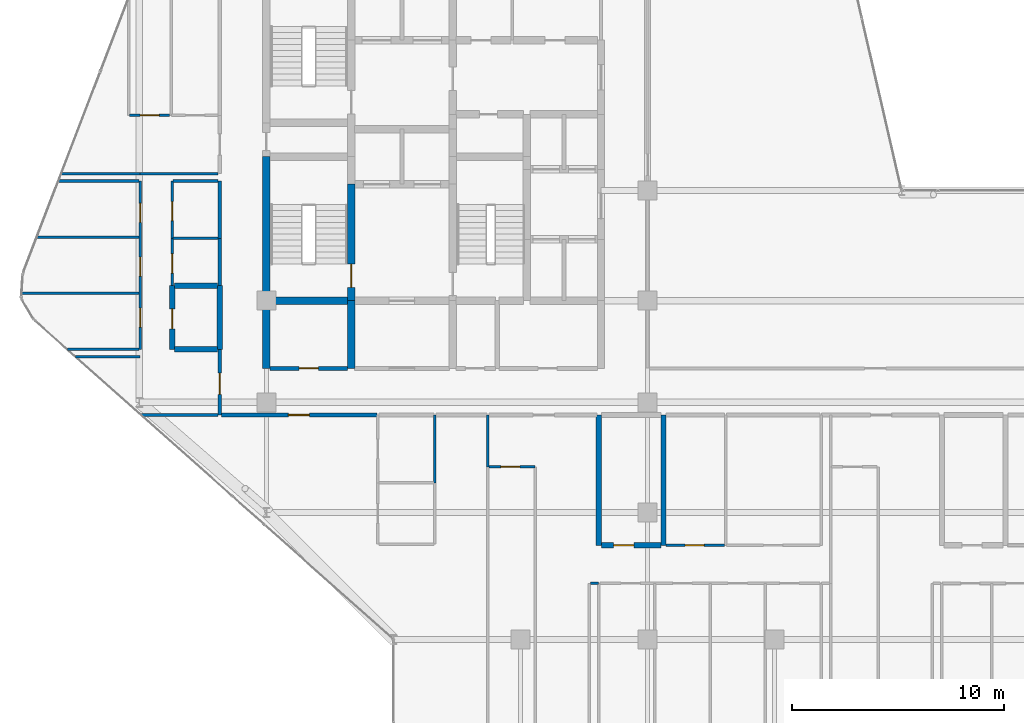
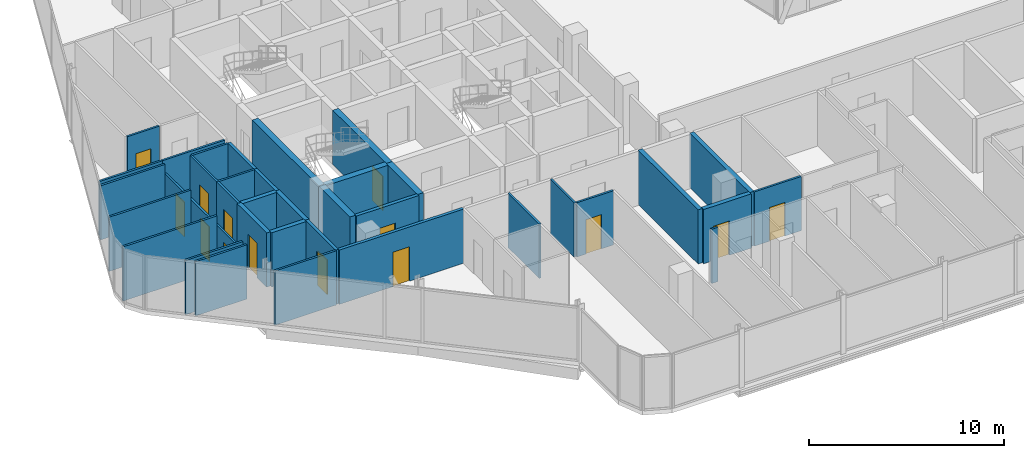
# One storey, part 23 of 29: 36 walls, 14 doors, 14 openings.
"""IFC4 building model written with IfcOpenShell, lengths in metres."""

from ifc_helpers import new_model, si_unit, direction, frame, frame_2d, origin, place, context, subcontext, project, spatial, rectangle, extrude, material, layer, layer_set, type_object, element, fill, save


model = new_model("IFC4")

# Units and contexts
model_context = context("Model", 3, precision=1e-05, world=origin(), true_north=direction((0.0, 1.0)))
body_context = subcontext(model_context, "Body", "Model", "MODEL_VIEW")
ifc_project = project(units=[si_unit("LENGTHUNIT", "METRE"), si_unit("AREAUNIT", "SQUARE_METRE"), si_unit("VOLUMEUNIT", "CUBIC_METRE"), si_unit("PLANEANGLEUNIT", "RADIAN"), si_unit("MASSUNIT", "GRAM", prefix="KILO")], contexts=[model_context])

# Site, building, storey
site_placement = place(None, origin())
site = spatial("IfcSite", under=ifc_project, at=site_placement, CompositionType="ELEMENT")
building_placement = place(site_placement, origin())
building = spatial("IfcBuilding", under=site, at=building_placement, Name="Keshet Zoharim Tower", CompositionType="ELEMENT")
storey_placement = place(building_placement, frame((0.0, 0.0, 176.5)))
storey = spatial("IfcBuildingStorey", under=building, at=storey_placement, Name="L43", CompositionType="ELEMENT", Elevation=176.5)

# Walls
ifc_material_1 = material(Name="Concrete C60/75", Category="concrete")
ifc_layer_1 = layer(ifc_material_1, 0.35009765625)
ifc_layer_set_1 = layer_set([ifc_layer_1], Name="Concrete C60/75")
wall_type_1 = type_object("IfcWallType", Name="WL-CORE-350", PredefinedType="SHEAR", material=ifc_layer_set_1)
wall_1_placement = place(storey_placement, frame((15.0, 19.5, 0.0), z_axis=(0.0, 0.0, 1.0), x_axis=(0.0, 1.0, 0.0)))
element("IfcWall", 1, at=wall_1_placement, inside=storey, type_object=wall_type_1, Name="L43 Core Shear Wall 013", PredefinedType="SHEAR", context=body_context, shape_type="SweptSolid", body=[
    extrude(rectangle(XDim=3.199951171875, YDim=0.35009765625, at=frame_2d((1.60009765625, 0.0))), origin(), (0.0, 0.0, 1.0), 3.389892578125),
])
wall_2_placement = place(storey_placement, frame((15.0, 22.699951171875, 0.0), z_axis=(0.0, 0.0, 1.0), x_axis=(0.0, 1.0, 0.0)))
element("IfcWall", 2, at=wall_2_placement, inside=storey, type_object=wall_type_1, Name="L43 Core Shear Wall 014", PredefinedType="SHEAR", context=body_context, shape_type="SweptSolid", body=[
    extrude(rectangle(XDim=6.800048828125, YDim=0.35009765625, at=frame_2d((3.39990234375, 0.0))), origin(), (0.0, 0.0, 1.0), 3.389892578125),
])
wall_3_placement = place(storey_placement, frame((19.0, 19.5, 0.0), z_axis=(0.0, 0.0, 1.0), x_axis=(0.0, 1.0, 0.0)))
element("IfcWall", 3, at=wall_3_placement, inside=storey, type_object=wall_type_1, Name="L43 Core Shear Wall 021", PredefinedType="SHEAR", context=body_context, shape_type="SweptSolid", body=[
    extrude(rectangle(XDim=3.199951171875, YDim=0.35009765625, at=frame_2d((1.60009765625, 0.0))), origin(), (0.0, 0.0, 1.0), 3.389892578125),
])

# Wall, opening, door
wall_4_placement = place(storey_placement, frame((19.0, 22.699951171875, 0.0), z_axis=(0.0, 0.0, 1.0), x_axis=(0.0, 1.0, 0.0)))
wall_4 = element("IfcWall", 4, at=wall_4_placement, inside=storey, type_object=wall_type_1, Name="L43 Core Shear Wall 022", PredefinedType="SHEAR", context=body_context, shape_type="SweptSolid", body=[
    extrude(rectangle(XDim=5.5, YDim=0.35009765625, at=frame_2d((2.75, 0.0))), origin(), (0.0, 0.0, 1.0), 3.389892578125),
])
opening_1_placement = place(wall_4_placement, frame((0.631103515625, 0.0, 0.0)))
opening_1 = element("IfcOpeningElement", 5, at=opening_1_placement, cuts=wall_4, Name="Opening D-F611", PredefinedType="OPENING", context=body_context, shape_type="SweptSolid", body=[
    extrude(rectangle(XDim=1.10009765625, YDim=2.14990234375, at=frame_2d((0.550048828125, 1.074951171875))), frame((0.0, 0.18505859375, 0.0), z_axis=(0.0, -1.0, 0.0), x_axis=(1.0, 0.0, 0.0)), (0.0, 0.0, 1.0), 0.3701171875),
])
ifc_material_2 = material(Name="Hardwood Timber", Category="wood")
door_type_1 = type_object("IfcDoorType", Name="DR-FD60-110", OperationType="NOTDEFINED", PredefinedType="DOOR", material=ifc_material_2)
door_1_placement = place(opening_1_placement, origin())
door_1 = element("IfcDoor", 6, at=door_1_placement, inside=storey, type_object=door_type_1, Name="L43 Exit Stair ST-01 Fire Door", OperationType="SINGLE_SWING_RIGHT", OverallHeight=2.14990234375, OverallWidth=1.10009765625, PredefinedType="DOOR", context=body_context, shape_type="SweptSolid", body=[
    extrude(rectangle(XDim=1.10009765625, YDim=2.14990234375, at=frame_2d((0.550048828125, 1.074951171875))), frame((0.0, 0.02490234375, 0.0), z_axis=(0.0, -1.0, 0.0), x_axis=(1.0, 0.0, 0.0)), (0.0, 0.0, 1.0), 0.050048828125),
])
fill(opening_1, door_1)

# Wall
wall_5_placement = place(storey_placement, frame((15.159912109375, 22.699951171875, 0.0), z_axis=(0.0, 0.0, 1.0), x_axis=(1.0, 0.0, 0.0)))
element("IfcWall", 7, at=wall_5_placement, inside=storey, type_object=wall_type_1, Name="L43 Core Shear Wall 131", PredefinedType="SHEAR", context=body_context, shape_type="SweptSolid", body=[
    extrude(rectangle(XDim=3.68017578125, YDim=0.35009765625, at=frame_2d((1.840087890625, 0.0))), origin(), (0.0, 0.0, 1.0), 3.389892578125),
])

# Wall, opening, door
ifc_material_3 = material(Name="Gypsum Plasterboard", Category="gypsum")
ifc_layer_2 = layer(ifc_material_3, 0.179931640625)
ifc_layer_set_2 = layer_set([ifc_layer_2], Name="Gypsum Plasterboard")
wall_type_2 = type_object("IfcWallType", Name="WL-CORR-180", PredefinedType="STANDARD", material=ifc_layer_set_2)
wall_6_placement = place(storey_placement, frame((12.800048828125, 17.300048828125, 0.0), z_axis=(0.0, 0.0, 1.0), x_axis=(0.0, 1.0, 0.0)))
wall_6 = element("IfcWall", 8, at=wall_6_placement, inside=storey, type_object=wall_type_2, Name="L43 Interior Wall 007", PredefinedType="STANDARD", context=body_context, shape_type="SweptSolid", body=[
    extrude(rectangle(XDim=3.099853515625, YDim=0.179931640625, at=frame_2d((1.5498046875, 0.0))), origin(), (0.0, 0.0, 1.0), 3.389892578125),
])
opening_2_placement = place(wall_6_placement, frame((0.97802734375, 0.0, 0.0)))
opening_2 = element("IfcOpeningElement", 9, at=opening_2_placement, cuts=wall_6, Name="Opening D-F310", PredefinedType="OPENING", context=body_context, shape_type="SweptSolid", body=[
    extrude(rectangle(XDim=1.0, YDim=2.14990234375, at=frame_2d((0.5, 1.074951171875))), frame((0.0, 0.10009765625, 0.0), z_axis=(0.0, -1.0, 0.0), x_axis=(1.0, 0.0, 0.0)), (0.0, 0.0, 1.0), 0.199951171875),
])
door_type_2 = type_object("IfcDoorType", Name="DR-FD30-100", OperationType="NOTDEFINED", PredefinedType="DOOR", material=ifc_material_2)
door_2_placement = place(opening_2_placement, origin())
door_2 = element("IfcDoor", 10, at=door_2_placement, inside=storey, type_object=door_type_2, Name="Apartment 4307 Entrance Door", OperationType="SINGLE_SWING_LEFT", OverallHeight=2.14990234375, OverallWidth=1.0, PredefinedType="DOOR", context=body_context, shape_type="SweptSolid", body=[
    extrude(rectangle(XDim=1.0, YDim=2.14990234375, at=frame_2d((0.5, 1.074951171875))), frame((0.0, 0.02490234375, 0.0), z_axis=(0.0, -1.0, 0.0), x_axis=(1.0, 0.0, 0.0)), (0.0, 0.0, 1.0), 0.050048828125),
])
fill(opening_2, door_2)

# Walls
wall_7_placement = place(storey_placement, frame((12.800048828125, 23.4208984375, 0.0), z_axis=(0.0, 0.0, 1.0), x_axis=(0.0, 1.0, 0.0)))
element("IfcWall", 11, at=wall_7_placement, inside=storey, type_object=wall_type_2, Name="L43 Interior Wall 009", PredefinedType="STANDARD", context=body_context, shape_type="SweptSolid", body=[
    extrude(rectangle(XDim=2.22607421875, YDim=0.179931640625, at=frame_2d((1.113037109375, 0.0))), origin(), (0.0, 0.0, 1.0), 3.389892578125),
])
wall_8_placement = place(storey_placement, frame((12.800048828125, 25.64697265625, 0.0), z_axis=(0.0, 0.0, 1.0), x_axis=(0.0, 1.0, 0.0)))
element("IfcWall", 12, at=wall_8_placement, inside=storey, type_object=wall_type_2, Name="L43 Interior Wall 010", PredefinedType="STANDARD", context=body_context, shape_type="SweptSolid", body=[
    extrude(rectangle(XDim=2.703125, YDim=0.179931640625, at=frame_2d((1.3515625, 0.0))), origin(), (0.0, 0.0, 1.0), 3.389892578125),
])

# Wall, opening, door
wall_9_placement = place(storey_placement, frame((12.875, 17.300048828125, 0.0), z_axis=(0.0, 0.0, 1.0), x_axis=(1.0, 0.0, 0.0)))
wall_9 = element("IfcWall", 13, at=wall_9_placement, inside=storey, type_object=wall_type_2, Name="L43 Interior Wall 110", PredefinedType="STANDARD", context=body_context, shape_type="SweptSolid", body=[
    extrude(rectangle(XDim=7.35009765625, YDim=0.179931640625, at=frame_2d((3.675048828125, 0.0))), origin(), (0.0, 0.0, 1.0), 3.389892578125),
])
opening_3_placement = place(wall_9_placement, frame((3.159912109375, 0.0, 0.0)))
opening_3 = element("IfcOpeningElement", 14, at=opening_3_placement, cuts=wall_9, Name="Opening D-F310", PredefinedType="OPENING", context=body_context, shape_type="SweptSolid", body=[
    extrude(rectangle(XDim=1.0, YDim=2.14990234375, at=frame_2d((0.5, 1.074951171875))), frame((0.0, 0.10009765625, 0.0), z_axis=(0.0, -1.0, 0.0), x_axis=(1.0, 0.0, 0.0)), (0.0, 0.0, 1.0), 0.199951171875),
])
door_3_placement = place(opening_3_placement, origin())
door_3 = element("IfcDoor", 15, at=door_3_placement, inside=storey, type_object=door_type_2, Name="Apartment 4301 Entrance Door", OperationType="SINGLE_SWING_LEFT", OverallHeight=2.14990234375, OverallWidth=1.0, PredefinedType="DOOR", context=body_context, shape_type="SweptSolid", body=[
    extrude(rectangle(XDim=1.0, YDim=2.14990234375, at=frame_2d((0.5, 1.074951171875))), frame((0.0, 0.02490234375, 0.0), z_axis=(0.0, -1.0, 0.0), x_axis=(1.0, 0.0, 0.0)), (0.0, 0.0, 1.0), 0.050048828125),
])
fill(opening_3, door_3)

ifc_material_4 = material(Name="Concrete C50/60", Category="concrete")
ifc_layer_3 = layer(ifc_material_4, 0.199951171875)
ifc_layer_set_3 = layer_set([ifc_layer_3], Name="Concrete C50/60")
wall_type_3 = type_object("IfcWallType", Name="WL-FIRE-200", PredefinedType="STANDARD", material=ifc_layer_set_3)
wall_10_placement = place(storey_placement, frame((15.159912109375, 19.5, 0.0), z_axis=(0.0, 0.0, 1.0), x_axis=(1.0, 0.0, 0.0)))
wall_10 = element("IfcWall", 16, at=wall_10_placement, inside=storey, type_object=wall_type_3, Name="L43 Interior Wall 123", PredefinedType="STANDARD", context=body_context, shape_type="SweptSolid", body=[
    extrude(rectangle(XDim=3.68017578125, YDim=0.199951171875, at=frame_2d((1.840087890625, 0.0))), origin(), (0.0, 0.0, 1.0), 3.389892578125),
])
opening_4_placement = place(wall_10_placement, frame((1.389892578125, 0.0, 0.0)))
opening_4 = element("IfcOpeningElement", 17, at=opening_4_placement, cuts=wall_10, Name="Opening D-F690", PredefinedType="OPENING", context=body_context, shape_type="SweptSolid", body=[
    extrude(rectangle(XDim=0.89990234375, YDim=2.14990234375, at=frame_2d((0.449951171875, 1.074951171875))), frame((0.0, 0.10986328125, 0.0), z_axis=(0.0, -1.0, 0.0), x_axis=(1.0, 0.0, 0.0)), (0.0, 0.0, 1.0), 0.219970703125),
])
door_type_3 = type_object("IfcDoorType", Name="DR-FD60-090", OperationType="NOTDEFINED", PredefinedType="DOOR", material=ifc_material_2)
door_4_placement = place(opening_4_placement, origin())
door_4 = element("IfcDoor", 18, at=door_4_placement, inside=storey, type_object=door_type_3, Name="L43 Refuse Room Door", OperationType="SINGLE_SWING_RIGHT", OverallHeight=2.14990234375, OverallWidth=0.89990234375, PredefinedType="DOOR", context=body_context, shape_type="SweptSolid", body=[
    extrude(rectangle(XDim=0.89990234375, YDim=2.14990234375, at=frame_2d((0.449951171875, 1.074951171875))), frame((0.0, 0.02490234375, 0.0), z_axis=(0.0, -1.0, 0.0), x_axis=(1.0, 0.0, 0.0)), (0.0, 0.0, 1.0), 0.050048828125),
])
fill(opening_4, door_4)

ifc_layer_4 = layer(ifc_material_4, 0.25)
ifc_layer_set_4 = layer_set([ifc_layer_4], Name="Concrete C50/60")
wall_type_4 = type_object("IfcWallType", Name="WL-MAMAD-250", PredefinedType="STANDARD", material=ifc_layer_set_4)
wall_11_placement = place(storey_placement, frame((10.550048828125, 20.39990234375, 0.0), z_axis=(0.0, 0.0, 1.0), x_axis=(0.0, 1.0, 0.0)))
wall_11 = element("IfcWall", 19, at=wall_11_placement, inside=storey, type_object=wall_type_4, Name="L43 Interior Wall 004", PredefinedType="STANDARD", context=body_context, shape_type="SweptSolid", body=[
    extrude(rectangle(XDim=3.02099609375, YDim=0.25, at=frame_2d((1.510498046875, 0.0))), origin(), (0.0, 0.0, 1.0), 3.389892578125),
])
opening_5_placement = place(wall_11_placement, frame((0.964111328125, 0.0, 0.0)))
opening_5 = element("IfcOpeningElement", 20, at=opening_5_placement, cuts=wall_11, Name="Opening D-F695", PredefinedType="OPENING", context=body_context, shape_type="SweptSolid", body=[
    extrude(rectangle(XDim=0.949951171875, YDim=2.14990234375, at=frame_2d((0.47509765625, 1.074951171875))), frame((0.0, 0.135009765625, 0.0), z_axis=(0.0, -1.0, 0.0), x_axis=(1.0, 0.0, 0.0)), (0.0, 0.0, 1.0), 0.27001953125),
])
door_type_4 = type_object("IfcDoorType", Name="DR-FD60-095", OperationType="NOTDEFINED", PredefinedType="DOOR", material=ifc_material_2)
door_5_placement = place(opening_5_placement, origin())
door_5 = element("IfcDoor", 21, at=door_5_placement, inside=storey, type_object=door_type_4, Name="Apartment 4307 Study and Shelter Room Door", OperationType="SINGLE_SWING_RIGHT", OverallHeight=2.14990234375, OverallWidth=0.949951171875, PredefinedType="DOOR", context=body_context, shape_type="SweptSolid", body=[
    extrude(rectangle(XDim=0.949951171875, YDim=2.14990234375, at=frame_2d((0.47509765625, 1.074951171875))), frame((0.0, 0.02490234375, 0.0), z_axis=(0.0, -1.0, 0.0), x_axis=(1.0, 0.0, 0.0)), (0.0, 0.0, 1.0), 0.050048828125),
])
fill(opening_5, door_5)

# Walls
wall_12_placement = place(storey_placement, frame((12.800048828125, 20.39990234375, 0.0), z_axis=(0.0, 0.0, 1.0), x_axis=(0.0, 1.0, 0.0)))
element("IfcWall", 22, at=wall_12_placement, inside=storey, type_object=wall_type_4, Name="L43 Interior Wall 008", PredefinedType="STANDARD", context=body_context, shape_type="SweptSolid", body=[
    extrude(rectangle(XDim=3.02099609375, YDim=0.25, at=frame_2d((1.510498046875, 0.0))), origin(), (0.0, 0.0, 1.0), 3.389892578125),
])
for number, where, z_axis, x_axis, name in (
    (23, (30.699951171875, 11.14990234375, 0.0), (0.0, 0.0, 1.0), (0.0, 1.0, 0.0), "L43 Interior Wall 058"),
    (24, (33.75, 11.14990234375, 0.0), (0.0, 0.0, 1.0), (0.0, 1.0, 0.0), "L43 Interior Wall 070"),
):
    element("IfcWall", number, at=place(storey_placement, frame(where, z_axis=z_axis, x_axis=x_axis)), inside=storey, type_object=wall_type_4, Name=name, PredefinedType="STANDARD", context=body_context, shape_type="SweptSolid", body=[
        extrude(rectangle(XDim=6.150146484375, YDim=0.25, at=frame_2d((3.0751953125, 0.0))), origin(), (0.0, 0.0, 1.0), 3.389892578125),
    ])

# Wall, opening, door
wall_13_placement = place(storey_placement, frame((30.830078125, 11.14990234375, 0.0), z_axis=(0.0, 0.0, 1.0), x_axis=(1.0, 0.0, 0.0)))
wall_13 = element("IfcWall", 25, at=wall_13_placement, inside=storey, type_object=wall_type_4, Name="L43 Interior Wall 099", PredefinedType="STANDARD", context=body_context, shape_type="SweptSolid", body=[
    extrude(rectangle(XDim=2.81298828125, YDim=0.25, at=frame_2d((1.406494140625, 0.0))), origin(), (0.0, 0.0, 1.0), 3.389892578125),
])
opening_6_placement = place(wall_13_placement, frame((0.572998046875, 0.0, 0.0)))
opening_6 = element("IfcOpeningElement", 26, at=opening_6_placement, cuts=wall_13, Name="Opening D-F695", PredefinedType="OPENING", context=body_context, shape_type="SweptSolid", body=[
    extrude(rectangle(XDim=0.949951171875, YDim=2.14990234375, at=frame_2d((0.47509765625, 1.074951171875))), frame((0.0, 0.135009765625, 0.0), z_axis=(0.0, -1.0, 0.0), x_axis=(1.0, 0.0, 0.0)), (0.0, 0.0, 1.0), 0.27001953125),
])
door_6_placement = place(opening_6_placement, origin())
door_6 = element("IfcDoor", 27, at=door_6_placement, inside=storey, type_object=door_type_4, Name="Apartment 4302 Study and Shelter Room Door", OperationType="SINGLE_SWING_LEFT", OverallHeight=2.14990234375, OverallWidth=0.949951171875, PredefinedType="DOOR", context=body_context, shape_type="SweptSolid", body=[
    extrude(rectangle(XDim=0.949951171875, YDim=2.14990234375, at=frame_2d((0.47509765625, 1.074951171875))), frame((0.0, 0.02490234375, 0.0), z_axis=(0.0, -1.0, 0.0), x_axis=(1.0, 0.0, 0.0)), (0.0, 0.0, 1.0), 0.050048828125),
])
fill(opening_6, door_6)

# Walls
for number, where, z_axis, x_axis, name in (
    (28, (10.659912109375, 20.39990234375, 0.0), (0.0, 0.0, 1.0), (1.0, 0.0, 0.0), "L43 Interior Wall 130"),
    (29, (10.659912109375, 23.39990234375, 0.0), (0.0, 0.0, 1.0), (1.0, 0.0, 0.0), "L43 Interior Wall 137"),
):
    element("IfcWall", number, at=place(storey_placement, frame(where, z_axis=z_axis, x_axis=x_axis)), inside=storey, type_object=wall_type_4, Name=name, PredefinedType="STANDARD", context=body_context, shape_type="SweptSolid", body=[
        extrude(rectangle(XDim=2.030029296875, YDim=0.25, at=frame_2d((1.01513671875, 0.0))), origin(), (0.0, 0.0, 1.0), 3.389892578125),
    ])

# Wall, openings, doors
ifc_layer_5 = layer(ifc_material_3, 0.1201171875)
ifc_layer_set_5 = layer_set([ifc_layer_5], Name="Gypsum Plasterboard")
wall_type_5 = type_object("IfcWallType", Name="WL-PART-120", PredefinedType="PARTITIONING", material=ifc_layer_set_5)
wall_14_placement = place(storey_placement, frame((9.050048828125, 20.39990234375, 0.0), z_axis=(0.0, 0.0, 1.0), x_axis=(0.0, 1.0, 0.0)))
wall_14 = element("IfcWall", 30, at=wall_14_placement, inside=storey, type_object=wall_type_5, Name="L43 Interior Wall 002", PredefinedType="PARTITIONING", context=body_context, shape_type="SweptSolid", body=[
    extrude(rectangle(XDim=7.9501953125, YDim=0.1201171875, at=frame_2d((3.97509765625, 0.0))), origin(), (0.0, 0.0, 1.0), 2.7900390625),
])
opening_7_placement = place(wall_14_placement, frame((1.050048828125, 0.0, 0.0)))
opening_7 = element("IfcOpeningElement", 31, at=opening_7_placement, cuts=wall_14, Name="Opening D-IN90", PredefinedType="OPENING", context=body_context, shape_type="SweptSolid", body=[
    extrude(rectangle(XDim=0.89990234375, YDim=2.14990234375, at=frame_2d((0.449951171875, 1.074951171875))), frame((0.0, 0.070068359375, 0.0), z_axis=(0.0, -1.0, 0.0), x_axis=(1.0, 0.0, 0.0)), (0.0, 0.0, 1.0), 0.14013671875),
])
opening_8_placement = place(wall_14_placement, frame((3.455078125, 0.0, 0.0)))
opening_8 = element("IfcOpeningElement", 32, at=opening_8_placement, cuts=wall_14, Name="Opening D-IN90", PredefinedType="OPENING", context=body_context, shape_type="SweptSolid", body=[
    extrude(rectangle(XDim=0.89990234375, YDim=2.14990234375, at=frame_2d((0.449951171875, 1.074951171875))), frame((0.0, 0.070068359375, 0.0), z_axis=(0.0, -1.0, 0.0), x_axis=(1.0, 0.0, 0.0)), (0.0, 0.0, 1.0), 0.14013671875),
])
opening_9_placement = place(wall_14_placement, frame((6.0, 0.0, 0.0)))
opening_9 = element("IfcOpeningElement", 33, at=opening_9_placement, cuts=wall_14, Name="Opening D-IN90", PredefinedType="OPENING", context=body_context, shape_type="SweptSolid", body=[
    extrude(rectangle(XDim=0.89990234375, YDim=2.14990234375, at=frame_2d((0.449951171875, 1.074951171875))), frame((0.0, 0.070068359375, 0.0), z_axis=(0.0, -1.0, 0.0), x_axis=(1.0, 0.0, 0.0)), (0.0, 0.0, 1.0), 0.14013671875),
])
door_type_5 = type_object("IfcDoorType", Name="DR-INT-090", OperationType="NOTDEFINED", PredefinedType="DOOR", material=ifc_material_2)
door_7_placement = place(opening_7_placement, origin())
door_7 = element("IfcDoor", 34, at=door_7_placement, inside=storey, type_object=door_type_5, Name="Apartment 4307 Bedroom 1 Door", OperationType="SINGLE_SWING_LEFT", OverallHeight=2.14990234375, OverallWidth=0.89990234375, PredefinedType="DOOR", context=body_context, shape_type="SweptSolid", body=[
    extrude(rectangle(XDim=0.89990234375, YDim=2.14990234375, at=frame_2d((0.449951171875, 1.074951171875))), frame((0.0, 0.02490234375, 0.0), z_axis=(0.0, -1.0, 0.0), x_axis=(1.0, 0.0, 0.0)), (0.0, 0.0, 1.0), 0.050048828125),
])
fill(opening_7, door_7)
door_8_placement = place(opening_8_placement, origin())
door_8 = element("IfcDoor", 35, at=door_8_placement, inside=storey, type_object=door_type_5, Name="Apartment 4307 Bedroom 2 Door", OperationType="SINGLE_SWING_RIGHT", OverallHeight=2.14990234375, OverallWidth=0.89990234375, PredefinedType="DOOR", context=body_context, shape_type="SweptSolid", body=[
    extrude(rectangle(XDim=0.89990234375, YDim=2.14990234375, at=frame_2d((0.449951171875, 1.074951171875))), frame((0.0, 0.02490234375, 0.0), z_axis=(0.0, -1.0, 0.0), x_axis=(1.0, 0.0, 0.0)), (0.0, 0.0, 1.0), 0.050048828125),
])
fill(opening_8, door_8)
door_9_placement = place(opening_9_placement, origin())
door_9 = element("IfcDoor", 36, at=door_9_placement, inside=storey, type_object=door_type_5, Name="Apartment 4307 Bedroom 3 Door", OperationType="SINGLE_SWING_LEFT", OverallHeight=2.14990234375, OverallWidth=0.89990234375, PredefinedType="DOOR", context=body_context, shape_type="SweptSolid", body=[
    extrude(rectangle(XDim=0.89990234375, YDim=2.14990234375, at=frame_2d((0.449951171875, 1.074951171875))), frame((0.0, 0.02490234375, 0.0), z_axis=(0.0, -1.0, 0.0), x_axis=(1.0, 0.0, 0.0)), (0.0, 0.0, 1.0), 0.050048828125),
])
fill(opening_9, door_9)

# Wall, opening, door
wall_15_placement = place(storey_placement, frame((10.550048828125, 25.64697265625, 0.0), z_axis=(0.0, 0.0, 1.0), x_axis=(0.0, 1.0, 0.0)))
wall_15 = element("IfcWall", 37, at=wall_15_placement, inside=storey, type_object=wall_type_5, Name="L43 Interior Wall 006", PredefinedType="PARTITIONING", context=body_context, shape_type="SweptSolid", body=[
    extrude(rectangle(XDim=2.703125, YDim=0.1201171875, at=frame_2d((1.3515625, 0.0))), origin(), (0.0, 0.0, 1.0), 3.389892578125),
])
opening_10_placement = place(wall_15_placement, frame((0.830078125, 0.0, 0.0)))
opening_10 = element("IfcOpeningElement", 38, at=opening_10_placement, cuts=wall_15, Name="Opening D-IN90", PredefinedType="OPENING", context=body_context, shape_type="SweptSolid", body=[
    extrude(rectangle(XDim=0.89990234375, YDim=2.14990234375, at=frame_2d((0.449951171875, 1.074951171875))), frame((0.0, 0.070068359375, 0.0), z_axis=(0.0, -1.0, 0.0), x_axis=(1.0, 0.0, 0.0)), (0.0, 0.0, 1.0), 0.14013671875),
])
door_10_placement = place(opening_10_placement, origin())
door_10 = element("IfcDoor", 39, at=door_10_placement, inside=storey, type_object=door_type_5, Name="Apartment 4307 Kitchen Door", OperationType="SINGLE_SWING_RIGHT", OverallHeight=2.14990234375, OverallWidth=0.89990234375, PredefinedType="DOOR", context=body_context, shape_type="SweptSolid", body=[
    extrude(rectangle(XDim=0.89990234375, YDim=2.14990234375, at=frame_2d((0.449951171875, 1.074951171875))), frame((0.0, 0.02490234375, 0.0), z_axis=(0.0, -1.0, 0.0), x_axis=(1.0, 0.0, 0.0)), (0.0, 0.0, 1.0), 0.050048828125),
])
fill(opening_10, door_10)

# Walls
wall_16_placement = place(storey_placement, frame((22.949951171875, 14.10009765625, 0.0), z_axis=(0.0, 0.0, 1.0), x_axis=(0.0, 1.0, 0.0)))
element("IfcWall", 40, at=wall_16_placement, inside=storey, type_object=wall_type_5, Name="L43 Interior Wall 032", PredefinedType="PARTITIONING", context=body_context, shape_type="SweptSolid", body=[
    extrude(rectangle(XDim=3.199951171875, YDim=0.1201171875, at=frame_2d((1.60009765625, 0.0))), origin(), (0.0, 0.0, 1.0), 3.389892578125),
])
wall_17_placement = place(storey_placement, frame((25.449951171875, 14.85009765625, 0.0), z_axis=(0.0, 0.0, 1.0), x_axis=(0.0, 1.0, 0.0)))
element("IfcWall", 41, at=wall_17_placement, inside=storey, type_object=wall_type_5, Name="L43 Interior Wall 042", PredefinedType="PARTITIONING", context=body_context, shape_type="SweptSolid", body=[
    extrude(rectangle(XDim=2.449951171875, YDim=0.1201171875, at=frame_2d((1.22509765625, 0.0))), origin(), (0.0, 0.0, 1.0), 3.389892578125),
])
wall_18_placement = place(storey_placement, frame((30.31494140625, 9.35009765625, 0.0), z_axis=(0.0, 0.0, 1.0), x_axis=(1.0, 0.0, 0.0)))
element("IfcWall", 42, at=wall_18_placement, inside=storey, type_object=wall_type_5, Name="L43 Interior Wall 094", PredefinedType="PARTITIONING", context=body_context, shape_type="SweptSolid", body=[
    extrude(rectangle(XDim=0.360107421875, YDim=0.1201171875, at=frame_2d((0.18017578125, 0.0))), origin(), (0.0, 0.0, 1.0), 3.389892578125),
])

# Wall, opening, door
wall_19_placement = place(storey_placement, frame((25.514892578125, 14.85009765625, 0.0), z_axis=(0.0, 0.0, 1.0), x_axis=(1.0, 0.0, 0.0)))
wall_19 = element("IfcWall", 43, at=wall_19_placement, inside=storey, type_object=wall_type_5, Name="L43 Interior Wall 107", PredefinedType="PARTITIONING", context=body_context, shape_type="SweptSolid", body=[
    extrude(rectangle(XDim=2.16015625, YDim=0.1201171875, at=frame_2d((1.080078125, 0.0))), origin(), (0.0, 0.0, 1.0), 3.389892578125),
])
opening_11_placement = place(wall_19_placement, frame((0.552978515625, 0.0, 0.0)))
opening_11 = element("IfcOpeningElement", 44, at=opening_11_placement, cuts=wall_19, Name="Opening D-IN90", PredefinedType="OPENING", context=body_context, shape_type="SweptSolid", body=[
    extrude(rectangle(XDim=0.89990234375, YDim=2.14990234375, at=frame_2d((0.449951171875, 1.074951171875))), frame((0.0, 0.070068359375, 0.0), z_axis=(0.0, -1.0, 0.0), x_axis=(1.0, 0.0, 0.0)), (0.0, 0.0, 1.0), 0.14013671875),
])
door_11_placement = place(opening_11_placement, origin())
door_11 = element("IfcDoor", 45, at=door_11_placement, inside=storey, type_object=door_type_5, Name="Apartment 4302 Formal Dining Room Door", OperationType="SINGLE_SWING_LEFT", OverallHeight=2.14990234375, OverallWidth=0.89990234375, PredefinedType="DOOR", context=body_context, shape_type="SweptSolid", body=[
    extrude(rectangle(XDim=0.89990234375, YDim=2.14990234375, at=frame_2d((0.449951171875, 1.074951171875))), frame((0.0, 0.02490234375, 0.0), z_axis=(0.0, -1.0, 0.0), x_axis=(1.0, 0.0, 0.0)), (0.0, 0.0, 1.0), 0.050048828125),
])
fill(opening_11, door_11)

# Walls
wall_20_placement = place(storey_placement, frame((9.0849609375, 17.300048828125, 0.0), z_axis=(0.0, 0.0, 1.0), x_axis=(1.0, 0.0, 0.0)))
element("IfcWall", 46, at=wall_20_placement, inside=storey, type_object=wall_type_5, Name="L43 Interior Wall 109", PredefinedType="PARTITIONING", context=body_context, shape_type="SweptSolid", body=[
    extrude(rectangle(XDim=3.64013671875, YDim=0.1201171875, at=frame_2d((1.820068359375, 0.0))), origin(), (0.0, 0.0, 1.0), 3.389892578125),
])
wall_21_placement = place(storey_placement, frame((5.990966796875, 20.050048828125, 0.0), z_axis=(0.0, 0.0, 1.0), x_axis=(1.0, 0.0, 0.0)))
element("IfcWall", 47, at=wall_21_placement, inside=storey, type_object=wall_type_5, Name="L43 Interior Wall 128", PredefinedType="PARTITIONING", context=body_context, shape_type="SweptSolid", body=[
    extrude(rectangle(XDim=3.0390625, YDim=0.1201171875, at=frame_2d((1.51953125, 0.0))), origin(), (0.0, 0.0, 1.0), 3.389892578125),
])
wall_22_placement = place(storey_placement, frame((5.596923828125, 20.39990234375, 0.0), z_axis=(0.0, 0.0, 1.0), x_axis=(1.0, 0.0, 0.0)))
element("IfcWall", 48, at=wall_22_placement, inside=storey, type_object=wall_type_5, Name="L43 Interior Wall 129", PredefinedType="PARTITIONING", context=body_context, shape_type="SweptSolid", body=[
    extrude(rectangle(XDim=3.38818359375, YDim=0.1201171875, at=frame_2d((1.694091796875, 0.0))), origin(), (0.0, 0.0, 1.0), 3.389892578125),
])
wall_23_placement = place(storey_placement, frame((3.446044921875, 23.050048828125, 0.0), z_axis=(0.0, 0.0, 1.0), x_axis=(1.0, 0.0, 0.0)))
element("IfcWall", 49, at=wall_23_placement, inside=storey, type_object=wall_type_5, Name="L43 Interior Wall 136", PredefinedType="PARTITIONING", context=body_context, shape_type="SweptSolid", body=[
    extrude(rectangle(XDim=5.5390625, YDim=0.1201171875, at=frame_2d((2.76953125, 0.0))), origin(), (0.0, 0.0, 1.0), 3.389892578125),
])
wall_24_placement = place(storey_placement, frame((4.1640625, 25.699951171875, 0.0), z_axis=(0.0, 0.0, 1.0), x_axis=(1.0, 0.0, 0.0)))
element("IfcWall", 50, at=wall_24_placement, inside=storey, type_object=wall_type_5, Name="L43 Interior Wall 140", PredefinedType="PARTITIONING", context=body_context, shape_type="SweptSolid", body=[
    extrude(rectangle(XDim=4.821044921875, YDim=0.1201171875, at=frame_2d((2.41064453125, 0.0))), origin(), (0.0, 0.0, 1.0), 3.389892578125),
])
wall_25_placement = place(storey_placement, frame((5.18310546875, 28.35009765625, 0.0), z_axis=(0.0, 0.0, 1.0), x_axis=(1.0, 0.0, 0.0)))
element("IfcWall", 51, at=wall_25_placement, inside=storey, type_object=wall_type_5, Name="L43 Interior Wall 142", PredefinedType="PARTITIONING", context=body_context, shape_type="SweptSolid", body=[
    extrude(rectangle(XDim=3.802001953125, YDim=0.1201171875, at=frame_2d((1.90087890625, 0.0))), origin(), (0.0, 0.0, 1.0), 3.389892578125),
])
wall_26_placement = place(storey_placement, frame((10.594970703125, 28.35009765625, 0.0), z_axis=(0.0, 0.0, 1.0), x_axis=(1.0, 0.0, 0.0)))
element("IfcWall", 52, at=wall_26_placement, inside=storey, type_object=wall_type_5, Name="L43 Interior Wall 143", PredefinedType="PARTITIONING", context=body_context, shape_type="SweptSolid", body=[
    extrude(rectangle(XDim=2.130126953125, YDim=0.1201171875, at=frame_2d((1.06494140625, 0.0))), origin(), (0.0, 0.0, 1.0), 3.389892578125),
])
wall_27_placement = place(storey_placement, frame((5.31689453125, 28.699951171875, 0.0), z_axis=(0.0, 0.0, 1.0), x_axis=(1.0, 0.0, 0.0)))
element("IfcWall", 53, at=wall_27_placement, inside=storey, type_object=wall_type_5, Name="L43 Interior Wall 144", PredefinedType="PARTITIONING", context=body_context, shape_type="SweptSolid", body=[
    extrude(rectangle(XDim=3.713134765625, YDim=0.1201171875, at=frame_2d((1.8564453125, 0.0))), origin(), (0.0, 0.0, 1.0), 3.389892578125),
])
wall_28_placement = place(storey_placement, frame((9.030029296875, 28.699951171875, 0.0), z_axis=(0.0, 0.0, 1.0), x_axis=(1.0, 0.0, 0.0)))
element("IfcWall", 54, at=wall_28_placement, inside=storey, type_object=wall_type_5, Name="L43 Interior Wall 145", PredefinedType="PARTITIONING", context=body_context, shape_type="SweptSolid", body=[
    extrude(rectangle(XDim=3.695068359375, YDim=0.1201171875, at=frame_2d((1.84765625, 0.0))), origin(), (0.0, 0.0, 1.0), 3.389892578125),
])

# Wall, opening, door
wall_29_placement = place(storey_placement, frame((8.544921875, 31.449951171875, 0.0), z_axis=(0.0, 0.0, 1.0), x_axis=(1.0, 0.0, 0.0)))
wall_29 = element("IfcWall", 55, at=wall_29_placement, inside=storey, type_object=wall_type_5, Name="L43 Interior Wall 151", PredefinedType="PARTITIONING", context=body_context, shape_type="SweptSolid", body=[
    extrude(rectangle(XDim=1.88818359375, YDim=0.1201171875, at=frame_2d((0.944091796875, 0.0))), origin(), (0.0, 0.0, 1.0), 3.389892578125),
])
opening_12_placement = place(wall_29_placement, frame((0.493896484375, 0.0, 0.0)))
opening_12 = element("IfcOpeningElement", 56, at=opening_12_placement, cuts=wall_29, Name="Opening D-IN90", PredefinedType="OPENING", context=body_context, shape_type="SweptSolid", body=[
    extrude(rectangle(XDim=0.89990234375, YDim=2.14990234375, at=frame_2d((0.449951171875, 1.074951171875))), frame((0.0, 0.070068359375, 0.0), z_axis=(0.0, -1.0, 0.0), x_axis=(1.0, 0.0, 0.0)), (0.0, 0.0, 1.0), 0.14013671875),
])
door_12_placement = place(opening_12_placement, origin())
door_12 = element("IfcDoor", 57, at=door_12_placement, inside=storey, type_object=door_type_5, Name="Apartment 4308 Kitchen Door", OperationType="SINGLE_SWING_RIGHT", OverallHeight=2.14990234375, OverallWidth=0.89990234375, PredefinedType="DOOR", context=body_context, shape_type="SweptSolid", body=[
    extrude(rectangle(XDim=0.89990234375, YDim=2.14990234375, at=frame_2d((0.449951171875, 1.074951171875))), frame((0.0, 0.02490234375, 0.0), z_axis=(0.0, -1.0, 0.0), x_axis=(1.0, 0.0, 0.0)), (0.0, 0.0, 1.0), 0.050048828125),
])
fill(opening_12, door_12)

ifc_layer_6 = layer(ifc_material_3, 0.1201171875)
ifc_layer_set_6 = layer_set([ifc_layer_6], Name="Gypsum Plasterboard")
wall_type_6 = type_object("IfcWallType", Name="WL-WET-120", PredefinedType="PARTITIONING", material=ifc_layer_set_6)
wall_30_placement = place(storey_placement, frame((10.550048828125, 23.4208984375, 0.0), z_axis=(0.0, 0.0, 1.0), x_axis=(0.0, 1.0, 0.0)))
wall_30 = element("IfcWall", 58, at=wall_30_placement, inside=storey, type_object=wall_type_6, Name="L43 Interior Wall 005", PredefinedType="PARTITIONING", context=body_context, shape_type="SweptSolid", body=[
    extrude(rectangle(XDim=2.22607421875, YDim=0.1201171875, at=frame_2d((1.113037109375, 0.0))), origin(), (0.0, 0.0, 1.0), 3.389892578125),
])
opening_13_placement = place(wall_30_placement, frame((0.583984375, 0.0, 0.0)))
opening_13 = element("IfcOpeningElement", 59, at=opening_13_placement, cuts=wall_30, Name="Opening D-WT90", PredefinedType="OPENING", context=body_context, shape_type="SweptSolid", body=[
    extrude(rectangle(XDim=0.89990234375, YDim=2.10009765625, at=frame_2d((0.449951171875, 1.050048828125))), frame((0.0, 0.070068359375, 0.0), z_axis=(0.0, -1.0, 0.0), x_axis=(1.0, 0.0, 0.0)), (0.0, 0.0, 1.0), 0.14013671875),
])
door_type_6 = type_object("IfcDoorType", Name="DR-WET-090", OperationType="NOTDEFINED", PredefinedType="DOOR", material=ifc_material_2)
door_13_placement = place(opening_13_placement, origin())
door_13 = element("IfcDoor", 60, at=door_13_placement, inside=storey, type_object=door_type_6, Name="Apartment 4307 Bathroom Door", OperationType="SINGLE_SWING_LEFT", OverallHeight=2.10009765625, OverallWidth=0.89990234375, PredefinedType="DOOR", context=body_context, shape_type="SweptSolid", body=[
    extrude(rectangle(XDim=0.89990234375, YDim=2.10009765625, at=frame_2d((0.449951171875, 1.050048828125))), frame((0.0, 0.02490234375, 0.0), z_axis=(0.0, -1.0, 0.0), x_axis=(1.0, 0.0, 0.0)), (0.0, 0.0, 1.0), 0.050048828125),
])
fill(opening_13, door_13)

wall_31_placement = place(storey_placement, frame((33.863037109375, 11.14990234375, 0.0), z_axis=(0.0, 0.0, 1.0), x_axis=(1.0, 0.0, 0.0)))
wall_31 = element("IfcWall", 61, at=wall_31_placement, inside=storey, type_object=wall_type_6, Name="L43 Interior Wall 100", PredefinedType="PARTITIONING", context=body_context, shape_type="SweptSolid", body=[
    extrude(rectangle(XDim=2.77392578125, YDim=0.1201171875, at=frame_2d((1.386962890625, 0.0))), origin(), (0.0, 0.0, 1.0), 3.389892578125),
])
opening_14_placement = place(wall_31_placement, frame((0.905029296875, 0.0, 0.0)))
opening_14 = element("IfcOpeningElement", 62, at=opening_14_placement, cuts=wall_31, Name="Opening D-WT90", PredefinedType="OPENING", context=body_context, shape_type="SweptSolid", body=[
    extrude(rectangle(XDim=0.89990234375, YDim=2.10009765625, at=frame_2d((0.449951171875, 1.050048828125))), frame((0.0, 0.070068359375, 0.0), z_axis=(0.0, -1.0, 0.0), x_axis=(1.0, 0.0, 0.0)), (0.0, 0.0, 1.0), 0.14013671875),
])
door_14_placement = place(opening_14_placement, origin())
door_14 = element("IfcDoor", 63, at=door_14_placement, inside=storey, type_object=door_type_6, Name="Apartment 4302 Bathroom Door", OperationType="SINGLE_SWING_RIGHT", OverallHeight=2.10009765625, OverallWidth=0.89990234375, PredefinedType="DOOR", context=body_context, shape_type="SweptSolid", body=[
    extrude(rectangle(XDim=0.89990234375, YDim=2.10009765625, at=frame_2d((0.449951171875, 1.050048828125))), frame((0.0, 0.02490234375, 0.0), z_axis=(0.0, -1.0, 0.0), x_axis=(1.0, 0.0, 0.0)), (0.0, 0.0, 1.0), 0.050048828125),
])
fill(opening_14, door_14)

# Wall
wall_32_placement = place(storey_placement, frame((10.594970703125, 25.64990234375, 0.0), z_axis=(0.0, 0.0, 1.0), x_axis=(1.0, 0.0, 0.0)))
element("IfcWall", 64, at=wall_32_placement, inside=storey, type_object=wall_type_6, Name="L43 Interior Wall 139", PredefinedType="PARTITIONING", context=body_context, shape_type="SweptSolid", body=[
    extrude(rectangle(XDim=2.130126953125, YDim=0.1201171875, at=frame_2d((1.06494140625, 0.0))), origin(), (0.0, 0.0, 1.0), 3.389892578125),
])

save(model, "model.ifc")
